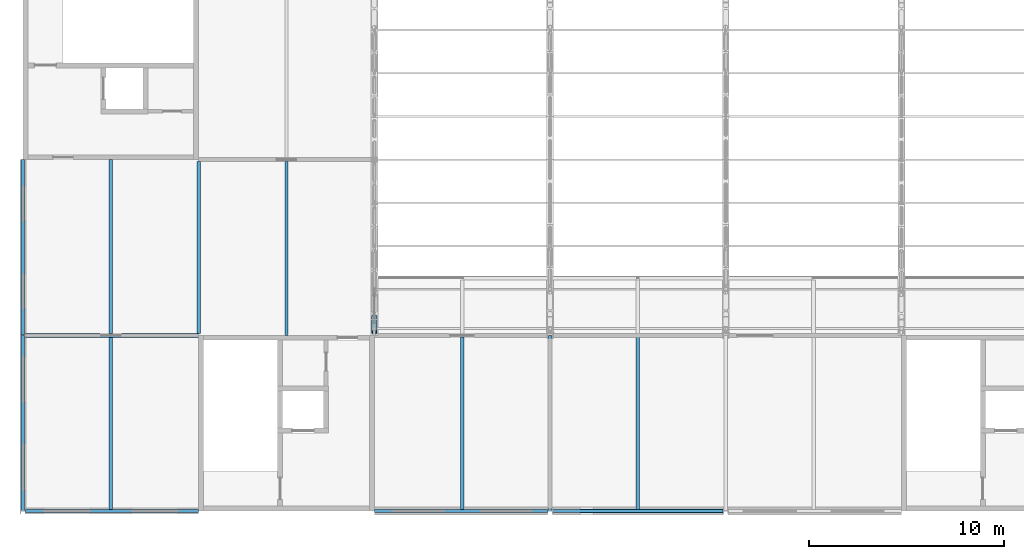
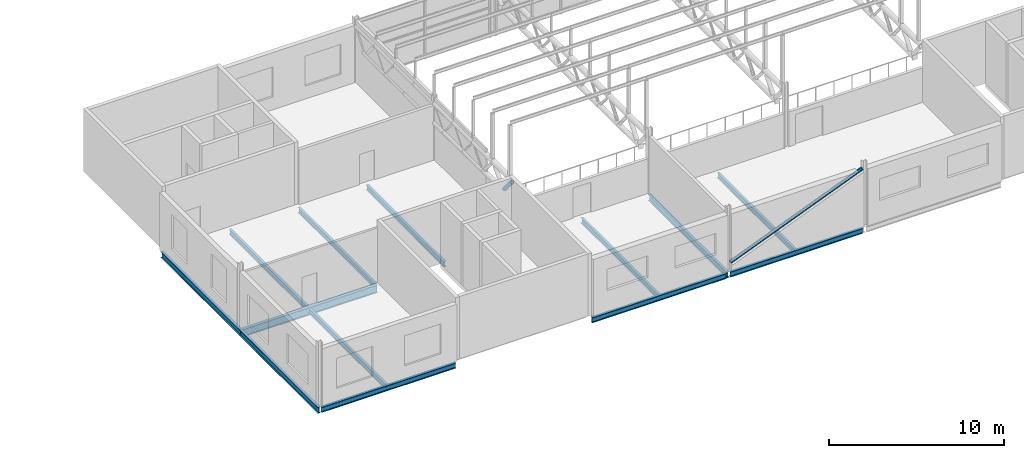
# One storey, part 27 of 138: 13 beams, 2 members.
"""IFC4 building model written with IfcOpenShell, lengths in metres."""

from ifc_helpers import new_model, si_unit, direction, frame, origin, origin_2d, place, context, subcontext, project, spatial, hollow_circle, i_section, extrude, material, material_profile, profile_set, type_object, element, save


model = new_model("IFC4")

# Units and contexts
model_context = context("Model", 3, precision=1e-05, world=origin(), true_north=direction((0.0, 1.0)))
body_context = subcontext(model_context, "Body", "Model", "MODEL_VIEW")
ifc_project = project(units=[si_unit("LENGTHUNIT", "METRE"), si_unit("AREAUNIT", "SQUARE_METRE"), si_unit("VOLUMEUNIT", "CUBIC_METRE"), si_unit("PLANEANGLEUNIT", "RADIAN"), si_unit("MASSUNIT", "GRAM", prefix="KILO")], contexts=[model_context])

# Site, building, storey
site_placement = place(None, origin())
site = spatial("IfcSite", under=ifc_project, at=site_placement, CompositionType="ELEMENT")
building_placement = place(site_placement, origin())
building = spatial("IfcBuilding", under=site, at=building_placement, Name="Corbel Yard City Hall", CompositionType="ELEMENT")
storey_placement = place(building_placement, frame((0.0, 0.0, 10.5)))
storey = spatial("IfcBuildingStorey", under=building, at=storey_placement, Name="L02", CompositionType="ELEMENT", Elevation=10.5)

# Beams
ifc_material_1 = material(Name="Steel Grade 300 (300 MPa yield)", Category="steel")
ifc_material_profile_1 = material_profile(ifc_material_1, i_section(OverallWidth=0.1708984375, OverallDepth=0.35205078125, WebThickness=0.0068359375, FlangeThickness=0.009765625, at=origin_2d()), Name="360UB44.7")
ifc_profile_set_1 = profile_set([ifc_material_profile_1], Name="Steel Grade 300 (300 MPa yield)")
beam_type_1 = type_object("IfcBeamType", Name="Beam 360UB44.7", PredefinedType="BEAM", material=ifc_profile_set_1)
beam_1_placement = place(storey_placement, frame((9.0, 9.1044921875, -0.325927734375), z_axis=(0.0, 1.0, 0.0), x_axis=(-1.0, 0.0, 0.0)))
element("IfcBeam", 1, at=beam_1_placement, inside=storey, type_object=beam_type_1, Name="Beam 360UB44.7 SB13 L02floor", PredefinedType="BEAM", context=body_context, shape_type="SweptSolid", body=[
    extrude(i_section(OverallWidth=0.1708984375, OverallDepth=0.35205078125, WebThickness=0.0068359375, FlangeThickness=0.009765625, at=origin_2d()), origin(), (0.0, 0.0, 1.0), 8.791015625),
])
ifc_material_profile_2 = material_profile(ifc_material_1, i_section(OverallWidth=0.177978515625, OverallDepth=0.403076171875, WebThickness=0.007568359375, FlangeThickness=0.010986328125, at=origin_2d()), Name="410UB53.7")
ifc_profile_set_2 = profile_set([ifc_material_profile_2], Name="Steel Grade 300 (300 MPa yield)")
beam_type_2 = type_object("IfcBeamType", Name="Beam 410UB53.7", PredefinedType="BEAM", material=ifc_profile_set_2)
beam_2_placement = place(storey_placement, frame((27.0, 0.00537109375, -0.3515625), z_axis=(0.0, 1.0, 0.0), x_axis=(-1.0, 0.0, 0.0)))
element("IfcBeam", 2, at=beam_2_placement, inside=storey, type_object=beam_type_2, Name="Beam 410UB53.7 SB6 L02floor", PredefinedType="BEAM", context=body_context, shape_type="SweptSolid", body=[
    extrude(i_section(OverallWidth=0.177978515625, OverallDepth=0.403076171875, WebThickness=0.007568359375, FlangeThickness=0.010986328125, at=origin_2d()), origin(), (0.0, 0.0, 1.0), 8.98876953125),
])

# Member
ifc_material_2 = material(Name="Steel Grade C350L0", Category="steel")
ifc_material_profile_3 = material_profile(ifc_material_2, hollow_circle(Radius=0.109619140625, WallThickness=0.00830078125, at=origin_2d()), Name="219.1x8.2CHS")
ifc_profile_set_3 = profile_set([ifc_material_profile_3], Name="Steel Grade C350L0")
member_type_1 = type_object("IfcMemberType", Name="Braced bay diagonal 219.1x8.2CHS", PredefinedType="BRACE", material=ifc_profile_set_3)
member_1_placement = place(storey_placement, frame((27.126953125, 0.0, 0.5), z_axis=(0.928419485655, 0.0, 0.371533657502), x_axis=(0.0, 1.0, 0.0)))
element("IfcMember", 3, at=member_1_placement, inside=storey, type_object=member_type_1, Name="Brace 219.1x8.2CHS BR2", PredefinedType="BRACE", context=body_context, shape_type="SweptSolid", body=[
    extrude(hollow_circle(Radius=0.109619140625, WallThickness=0.00830078125, at=origin_2d()), origin(), (0.0, 0.0, 1.0), 9.42041015625),
])

# Beams
ifc_material_profile_4 = material_profile(ifc_material_1, i_section(OverallWidth=0.172119140625, OverallDepth=0.35888671875, WebThickness=0.008056640625, FlangeThickness=0.012939453125, at=origin_2d()), Name="360UB56.7")
ifc_profile_set_4 = profile_set([ifc_material_profile_4], Name="Steel Grade 300 (300 MPa yield)")
beam_type_3 = type_object("IfcBeamType", Name="Edge beam 360UB56.7", PredefinedType="BEAM", material=ifc_profile_set_4)
for number, where, z_axis, x_axis, name in (
    (4, (0.1298828125, 0.0, -0.32958984375), (1.0, 0.0, 0.0), (0.0, 1.0, 0.0), "Edge beam 360UB56.7 EB4 L02floor"),
    (5, (18.0, 0.0, -0.32958984375), (1.0, 0.0, 0.0), (0.0, 1.0, 0.0), "Edge beam 360UB56.7 EB4 L02floor"),
):
    element("IfcBeam", number, at=place(storey_placement, frame(where, z_axis=z_axis, x_axis=x_axis)), inside=storey, type_object=beam_type_3, Name=name, PredefinedType="BEAM", context=body_context, shape_type="SweptSolid", body=[
        extrude(i_section(OverallWidth=0.172119140625, OverallDepth=0.35888671875, WebThickness=0.008056640625, FlangeThickness=0.012939453125, at=origin_2d()), origin(), (0.0, 0.0, 1.0), 8.8701171875),
    ])
beam_3_placement = place(storey_placement, frame((27.1298828125, 0.0, -0.32958984375), z_axis=(1.0, 0.0, 0.0), x_axis=(0.0, 1.0, 0.0)))
element("IfcBeam", 6, at=beam_3_placement, inside=storey, type_object=beam_type_3, Name="Edge beam 360UB56.7 EB4 L02floor", PredefinedType="BEAM", context=body_context, shape_type="SweptSolid", body=[
    extrude(i_section(OverallWidth=0.172119140625, OverallDepth=0.35888671875, WebThickness=0.008056640625, FlangeThickness=0.012939453125, at=origin_2d()), origin(), (0.0, 0.0, 1.0), 8.740234375),
])
ifc_material_profile_5 = material_profile(ifc_material_1, i_section(OverallWidth=0.177978515625, OverallDepth=0.403076171875, WebThickness=0.007568359375, FlangeThickness=0.010986328125, at=origin_2d()), Name="410UB53.7")
ifc_profile_set_5 = profile_set([ifc_material_profile_5], Name="Steel Grade 300 (300 MPa yield)")
beam_type_4 = type_object("IfcBeamType", Name="Edge beam 410UB53.7", PredefinedType="BEAM", material=ifc_profile_set_5)
beam_4_placement = place(storey_placement, frame((0.0, 0.00537109375, -0.3515625), z_axis=(0.0, 1.0, 0.0), x_axis=(-1.0, 0.0, 0.0)))
element("IfcBeam", 7, at=beam_4_placement, inside=storey, type_object=beam_type_4, Name="Edge beam 410UB53.7 EB6 L02floor", PredefinedType="BEAM", context=body_context, shape_type="SweptSolid", body=[
    extrude(i_section(OverallWidth=0.177978515625, OverallDepth=0.403076171875, WebThickness=0.007568359375, FlangeThickness=0.010986328125, at=origin_2d()), origin(), (0.0, 0.0, 1.0), 8.9892578125),
])
beam_5_placement = place(storey_placement, frame((0.0, 9.00537109375, -0.3515625), z_axis=(0.0, 1.0, 0.0), x_axis=(-1.0, 0.0, 0.0)))
element("IfcBeam", 8, at=beam_5_placement, inside=storey, type_object=beam_type_4, Name="Edge beam 410UB53.7 EB6 L02floor", PredefinedType="BEAM", context=body_context, shape_type="SweptSolid", body=[
    extrude(i_section(OverallWidth=0.177978515625, OverallDepth=0.403076171875, WebThickness=0.007568359375, FlangeThickness=0.010986328125, at=origin_2d()), origin(), (0.0, 0.0, 1.0), 8.99462890625),
])
ifc_material_profile_6 = material_profile(ifc_material_1, i_section(OverallWidth=0.208984375, OverallDepth=0.528076171875, WebThickness=0.009521484375, FlangeThickness=0.01318359375, at=origin_2d()), Name="530UB82.0")
ifc_profile_set_6 = profile_set([ifc_material_profile_6], Name="Steel Grade 300 (300 MPa yield)")
beam_type_5 = type_object("IfcBeamType", Name="Girder 530UB82.0", PredefinedType="BEAM", material=ifc_profile_set_6)
beam_6_placement = place(storey_placement, frame((0.1298828125, 9.0, -0.4140625), z_axis=(1.0, 0.0, 0.0), x_axis=(0.0, 1.0, 0.0)))
element("IfcBeam", 9, at=beam_6_placement, inside=storey, type_object=beam_type_5, Name="Girder 530UB82.0 GB3 L02floor", PredefinedType="BEAM", context=body_context, shape_type="SweptSolid", body=[
    extrude(i_section(OverallWidth=0.208984375, OverallDepth=0.528076171875, WebThickness=0.009521484375, FlangeThickness=0.01318359375, at=origin_2d()), origin(), (0.0, 0.0, 1.0), 8.8701171875),
])

# Member
ifc_material_profile_7 = material_profile(ifc_material_2, hollow_circle(Radius=0.136474609375, WallThickness=0.00927734375, at=origin_2d()), Name="273.1x9.3CHS")
ifc_profile_set_7 = profile_set([ifc_material_profile_7], Name="Steel Grade C350L0")
member_type_2 = type_object("IfcMemberType", Name="Hall roof truss diagonal 273.1x9.3CHS", PredefinedType="STRUT", material=ifc_profile_set_7)
member_2_placement = place(storey_placement, frame((18.0, 9.149169921875, 3.744384765625), z_axis=(0.0, 0.64257954038, -0.766218985855), x_axis=(-1.0, 0.0, 0.0)))
element("IfcMember", 10, at=member_2_placement, inside=storey, type_object=member_type_2, Name="Hall roof truss diagonal 273.1x9.3CHS TD1", PredefinedType="STRUT", context=body_context, shape_type="SweptSolid", body=[
    extrude(hollow_circle(Radius=0.136474609375, WallThickness=0.00927734375, at=origin_2d()), origin(), (0.0, 0.0, 1.0), 1.271728515625),
])

# Beams
ifc_material_profile_8 = material_profile(ifc_material_1, i_section(OverallWidth=0.1708984375, OverallDepth=0.35595703125, WebThickness=0.00732421875, FlangeThickness=0.011474609375, at=origin_2d()), Name="360UB50.7")
ifc_profile_set_8 = profile_set([ifc_material_profile_8], Name="Steel Grade 300 (300 MPa yield)")
beam_type_6 = type_object("IfcBeamType", Name="Secondary beam 360UB50.7", PredefinedType="JOIST", material=ifc_profile_set_8)
beam_7_placement = place(storey_placement, frame((4.5, 0.0859375, -0.327880859375), z_axis=(0.0, 1.0, 0.0), x_axis=(-1.0, 0.0, 0.0)))
element("IfcBeam", 11, at=beam_7_placement, inside=storey, type_object=beam_type_6, Name="Secondary beam 360UB50.7 SB10 L02floor", PredefinedType="JOIST", context=body_context, shape_type="SweptSolid", body=[
    extrude(i_section(OverallWidth=0.1708984375, OverallDepth=0.35595703125, WebThickness=0.00732421875, FlangeThickness=0.011474609375, at=origin_2d()), origin(), (0.0, 0.0, 1.0), 8.8095703125),
])
for number, where, z_axis, x_axis, name in (
    (12, (4.5, 9.1044921875, -0.327880859375), (0.0, 1.0, 0.0), (-1.0, 0.0, 0.0), "Secondary beam 360UB50.7 SB10 L02floor"),
    (13, (13.5, 9.0, -0.327880859375), (0.0, 1.0, 0.0), (-1.0, 0.0, 0.0), "Secondary beam 360UB50.7 SB10 L02floor"),
):
    element("IfcBeam", number, at=place(storey_placement, frame(where, z_axis=z_axis, x_axis=x_axis)), inside=storey, type_object=beam_type_6, Name=name, PredefinedType="JOIST", context=body_context, shape_type="SweptSolid", body=[
        extrude(i_section(OverallWidth=0.1708984375, OverallDepth=0.35595703125, WebThickness=0.00732421875, FlangeThickness=0.011474609375, at=origin_2d()), origin(), (0.0, 0.0, 1.0), 8.8955078125),
    ])
for number, where, z_axis, x_axis, name in (
    (14, (22.5, 0.0859375, -0.327880859375), (0.0, 1.0, 0.0), (-1.0, 0.0, 0.0), "Secondary beam 360UB50.7 SB10 L02floor"),
    (15, (31.5, 0.0859375, -0.327880859375), (0.0, 1.0, 0.0), (-1.0, 0.0, 0.0), "Secondary beam 360UB50.7 SB10 L02floor"),
):
    element("IfcBeam", number, at=place(storey_placement, frame(where, z_axis=z_axis, x_axis=x_axis)), inside=storey, type_object=beam_type_6, Name=name, PredefinedType="JOIST", context=body_context, shape_type="SweptSolid", body=[
        extrude(i_section(OverallWidth=0.1708984375, OverallDepth=0.35595703125, WebThickness=0.00732421875, FlangeThickness=0.011474609375, at=origin_2d()), origin(), (0.0, 0.0, 1.0), 8.828125),
    ])

save(model, "model.ifc")
